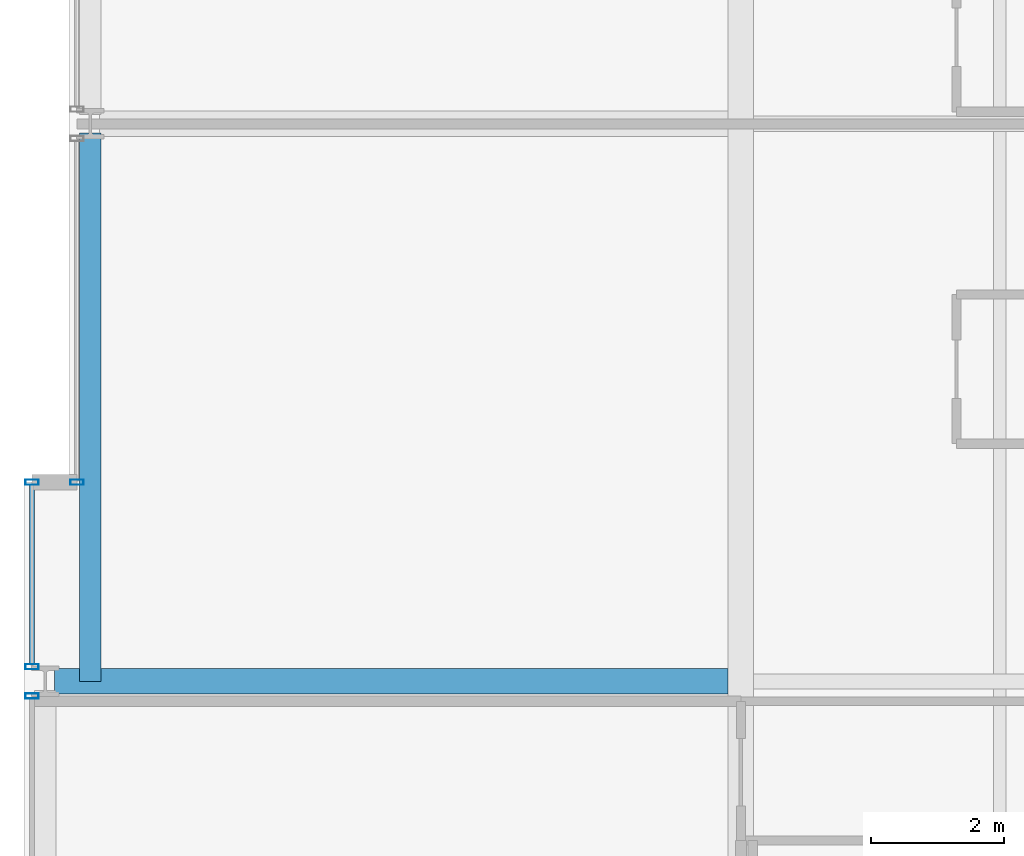
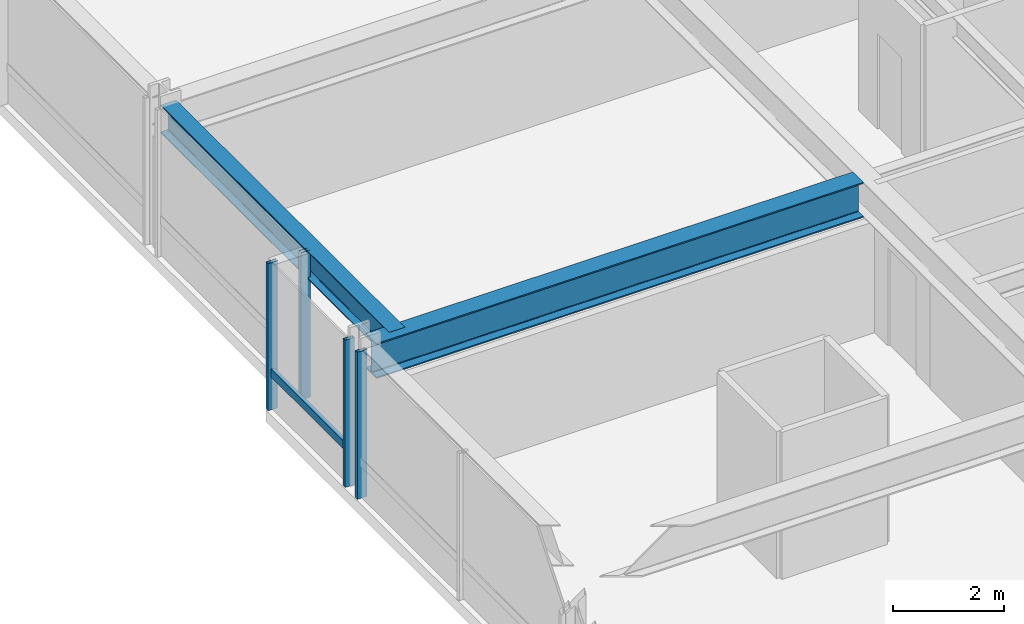
# One storey, part 7 of 34: 5 members, 2 beams, 3 elements without a shape of their own.
"""IFC4 building model written with IfcOpenShell, lengths in metres."""

from ifc_helpers import new_model, si_unit, direction, frame, origin, origin_2d, place, context, subcontext, project, spatial, hollow_rectangle, i_section, extrude, material, layer, layer_set, material_profile, profile_set, type_object, element, aggregate, save


model = new_model("IFC4")

# Units and contexts
model_context = context("Model", 3, precision=1e-05, world=origin(), true_north=direction((0.0, 1.0)))
body_context = subcontext(model_context, "Body", "Model", "MODEL_VIEW")
ifc_project = project(units=[si_unit("LENGTHUNIT", "METRE"), si_unit("AREAUNIT", "SQUARE_METRE"), si_unit("VOLUMEUNIT", "CUBIC_METRE"), si_unit("PLANEANGLEUNIT", "RADIAN"), si_unit("MASSUNIT", "GRAM", prefix="KILO")], contexts=[model_context])

# Site, building, storey
site_placement = place(None, origin())
site = spatial("IfcSite", under=ifc_project, at=site_placement, CompositionType="ELEMENT")
building_placement = place(site_placement, origin())
building = spatial("IfcBuilding", under=site, at=building_placement, Name="Drelvath Grand Hotel", CompositionType="ELEMENT")
storey_placement = place(building_placement, frame((0.0, 0.0, 91.800048828125)))
storey = spatial("IfcBuildingStorey", under=building, at=storey_placement, Name="L22", CompositionType="ELEMENT", Elevation=91.800048828125)

# Curtain wall, member
ifc_material_1 = material(Name="Champagne Bronze Anodised Aluminium Frame", Category="aluminium")
ifc_layer = layer(ifc_material_1, 0.199951171875)
ifc_layer_set = layer_set([ifc_layer], Name="Champagne Bronze Anodised Aluminium Frame")
curtain_wall_type = type_object("IfcCurtainWallType", Name="Stick Curtain Wall CW-03 Champagne Bronze Mid-Rise", PredefinedType="NOTDEFINED", material=ifc_layer_set)
curtain_wall_1_placement = place(storey_placement, origin())
curtain_wall_1 = element("IfcCurtainWall", 1, at=curtain_wall_1_placement, inside=storey, type_object=curtain_wall_type, Name="L22 CW-03 Curtain Wall CW03-L22-WS3", PredefinedType="NOTDEFINED")
ifc_material_profile_1 = material_profile(ifc_material_1, hollow_rectangle(XDim=0.074951171875, YDim=0.179931640625, WallThickness=0.0048828125, at=origin_2d()), Name="HSS180X75X5")
ifc_profile_set_1 = profile_set([ifc_material_profile_1], Name="Champagne Bronze Anodised Aluminium Frame")
member_type_1 = type_object("IfcMemberType", Name="Curtain Wall Horizontal Transom CW-03 HSS180X75X5", PredefinedType="USERDEFINED", material=ifc_profile_set_1)
member_1_placement = place(storey_placement, frame((-26.8798828125, 18.859619140625, 0.81005859375), z_axis=(0.0, 1.0, 0.0), x_axis=(-1.0, 0.0, 0.0)))
member_1 = element("IfcMember", 2, at=member_1_placement, type_object=member_type_1, Name="CW03-L22-WS3 Sill Transom", ObjectType="TRANSOM", PredefinedType="USERDEFINED", context=body_context, shape_type="SweptSolid", body=[
    extrude(hollow_rectangle(XDim=0.074951171875, YDim=0.179931640625, WallThickness=0.0048828125, at=origin_2d()), origin(), (0.0, 0.0, 1.0), 2.700439453125),
])

curtain_wall_2_placement = place(storey_placement, origin())
curtain_wall_2 = element("IfcCurtainWall", 3, at=curtain_wall_2_placement, inside=storey, type_object=curtain_wall_type, Name="L22 CW-03 Curtain Wall CW03-L22-WS2", PredefinedType="NOTDEFINED")
ifc_material_profile_2 = material_profile(ifc_material_1, hollow_rectangle(XDim=0.080078125, YDim=0.199951171875, WallThickness=0.0048828125, at=origin_2d()), Name="HSS200X80X5")
ifc_profile_set_2 = profile_set([ifc_material_profile_2], Name="Champagne Bronze Anodised Aluminium Frame")
member_type_2 = type_object("IfcMemberType", Name="Curtain Wall Vertical Mullion CW-03 HSS200X80X5", PredefinedType="MULLION", material=ifc_profile_set_2)
member_2_placement = place(storey_placement, frame((-26.8798828125, 18.38037109375, 0.0), z_axis=(0.0, 0.0, 1.0), x_axis=(0.0, 1.0, 0.0)))
member_2 = element("IfcMember", 4, at=member_2_placement, type_object=member_type_2, Name="CW03-L22-WS2 Mullion 3", PredefinedType="MULLION", context=body_context, shape_type="SweptSolid", body=[
    extrude(hollow_rectangle(XDim=0.080078125, YDim=0.199951171875, WallThickness=0.0048828125, at=origin_2d()), origin(), (0.0, 0.0, 1.0), 3.239990234375),
])
aggregate(curtain_wall_2, [member_2])

# Member
member_3_placement = place(storey_placement, frame((-26.8798828125, 18.819580078125, 0.0), z_axis=(0.0, 0.0, 1.0), x_axis=(0.0, 1.0, 0.0)))
member_3 = element("IfcMember", 5, at=member_3_placement, type_object=member_type_2, Name="CW03-L22-WS3 Mullion 1", PredefinedType="MULLION", context=body_context, shape_type="SweptSolid", body=[
    extrude(hollow_rectangle(XDim=0.080078125, YDim=0.199951171875, WallThickness=0.0048828125, at=origin_2d()), origin(), (0.0, 0.0, 1.0), 3.239990234375),
])

member_4_placement = place(storey_placement, frame((-26.8798828125, 21.60009765625, 0.0), z_axis=(0.0, 0.0, 1.0), x_axis=(0.0, 1.0, 0.0)))
member_4 = element("IfcMember", 6, at=member_4_placement, type_object=member_type_2, Name="CW03-L22-WS3 Mullion 2", PredefinedType="MULLION", context=body_context, shape_type="SweptSolid", body=[
    extrude(hollow_rectangle(XDim=0.080078125, YDim=0.199951171875, WallThickness=0.0048828125, at=origin_2d()), origin(), (0.0, 0.0, 1.0), 3.239990234375),
])

aggregate(curtain_wall_1, [member_3, member_4, member_1])

# Curtain wall, member
curtain_wall_3_placement = place(storey_placement, origin())
curtain_wall_3 = element("IfcCurtainWall", 7, at=curtain_wall_3_placement, inside=storey, type_object=curtain_wall_type, Name="L22 CW-03 Curtain Wall CW03-L22-WM1", PredefinedType="NOTDEFINED")
member_5_placement = place(storey_placement, frame((-26.199951171875, 21.60009765625, 0.0), z_axis=(0.0, 0.0, 1.0), x_axis=(0.0, 1.0, 0.0)))
member_5 = element("IfcMember", 8, at=member_5_placement, type_object=member_type_2, Name="CW03-L22-WM1 Mullion 1", PredefinedType="MULLION", context=body_context, shape_type="SweptSolid", body=[
    extrude(hollow_rectangle(XDim=0.080078125, YDim=0.199951171875, WallThickness=0.0048828125, at=origin_2d()), origin(), (0.0, 0.0, 1.0), 3.239990234375),
])
aggregate(curtain_wall_3, [member_5])

# Beams
ifc_material_2 = material(Name="Steel ASTM A992 Gr 50", Category="steel")
ifc_material_profile_3 = material_profile(ifc_material_2, i_section(OverallWidth=0.323974609375, OverallDepth=0.611083984375, WebThickness=0.0126953125, FlangeThickness=0.01904296875, FilletRadius=0.02197265625, at=origin_2d()), Name="W24X104")
ifc_profile_set_3 = profile_set([ifc_material_profile_3], Name="Steel ASTM A992 Gr 50")
beam_type_1 = type_object("IfcBeamType", Name="Perimeter Spandrel Beam W24X104", PredefinedType="SPANDREL", material=ifc_profile_set_3)
beam_1_placement = place(storey_placement, frame((-26.0, 18.60009765625, 2.9345703125), z_axis=(0.0, 1.0, 0.0), x_axis=(-1.0, 0.0, 0.0)))
element("IfcBeam", 9, at=beam_1_placement, inside=storey, type_object=beam_type_1, Name="L22 Spandrel West Mid S", PredefinedType="SPANDREL", context=body_context, shape_type="SweptSolid", body=[
    extrude(i_section(OverallWidth=0.323974609375, OverallDepth=0.611083984375, WebThickness=0.0126953125, FlangeThickness=0.01904296875, FilletRadius=0.02197265625, at=origin_2d()), origin(), (0.0, 0.0, 1.0), 8.260009765625),
])
ifc_material_profile_4 = material_profile(ifc_material_2, i_section(OverallWidth=0.380615234375, OverallDepth=0.773193359375, WebThickness=0.0166015625, FlangeThickness=0.027099609375, FilletRadius=0.02490234375, at=origin_2d()), Name="W30X173")
ifc_profile_set_4 = profile_set([ifc_material_profile_4], Name="Steel ASTM A992 Gr 50")
beam_type_2 = type_object("IfcBeamType", Name="Primary Floor Girder W30X173", PredefinedType="BEAM", material=ifc_profile_set_4)
beam_2_placement = place(storey_placement, frame((-26.5400390625, 18.60009765625, 2.853271484375), z_axis=(1.0, 0.0, 0.0), x_axis=(0.0, 1.0, 0.0)))
element("IfcBeam", 10, at=beam_2_placement, inside=storey, type_object=beam_type_2, Name="L22 West Wing Girder D", PredefinedType="BEAM", context=body_context, shape_type="SweptSolid", body=[
    extrude(i_section(OverallWidth=0.380615234375, OverallDepth=0.773193359375, WebThickness=0.0166015625, FlangeThickness=0.027099609375, FilletRadius=0.02490234375, at=origin_2d()), origin(), (0.0, 0.0, 1.0), 10.149658203125),
])

save(model, "model.ifc")
